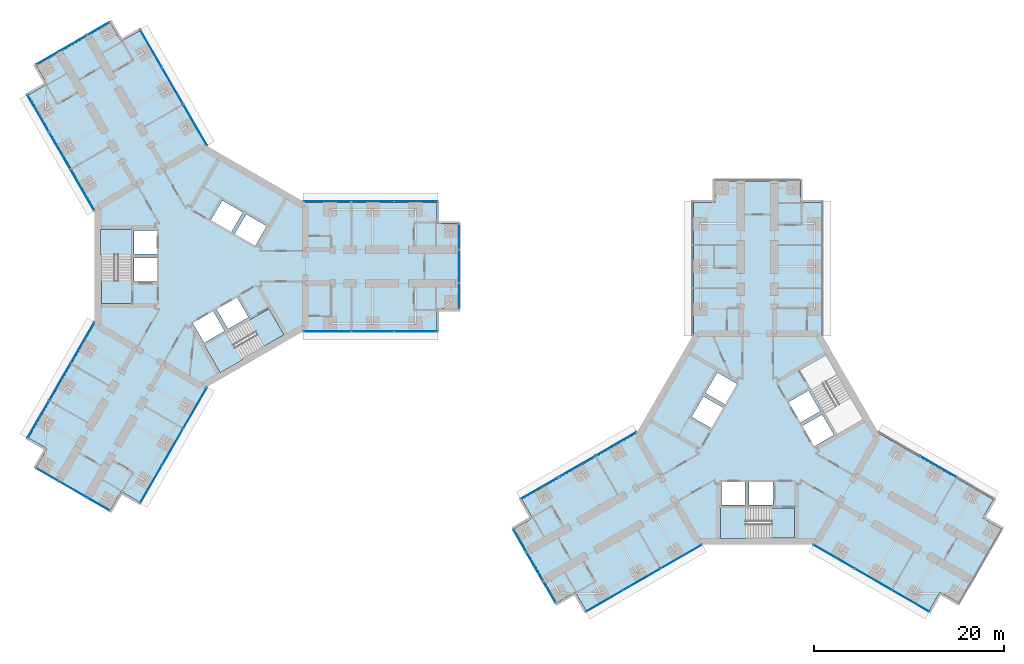
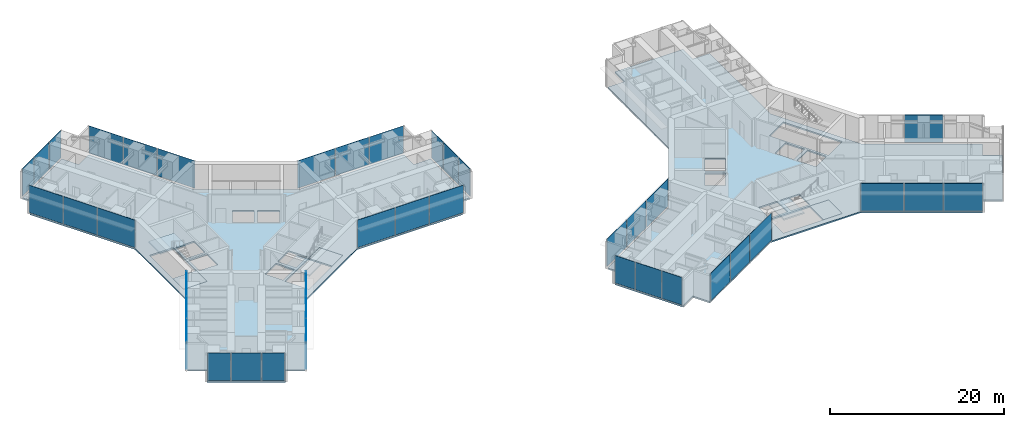
# One storey, part 14 of 24: 40 plates, 8 slabs, 17 elements without a shape of their own.
"""IFC4 building model written with IfcOpenShell, lengths in metres."""

from ifc_helpers import new_model, si_unit, direction, frame, origin, origin_2d, place, context, subcontext, project, spatial, polyline, rectangle, outline, extrude, material, layer, layer_set, type_object, element, aggregate, save


model = new_model("IFC4")

# Units and contexts
model_context = context("Model", 3, precision=1e-05, world=origin(), true_north=direction((0.0, 1.0)))
body_context = subcontext(model_context, "Body", "Model", "MODEL_VIEW")
ifc_project = project(units=[si_unit("LENGTHUNIT", "METRE"), si_unit("AREAUNIT", "SQUARE_METRE"), si_unit("VOLUMEUNIT", "CUBIC_METRE"), si_unit("PLANEANGLEUNIT", "RADIAN"), si_unit("MASSUNIT", "GRAM", prefix="KILO")], contexts=[model_context])

# Site, building, storey
site_placement = place(None, origin())
site = spatial("IfcSite", under=ifc_project, at=site_placement, CompositionType="ELEMENT")
building_placement = place(site_placement, origin())
building = spatial("IfcBuilding", under=site, at=building_placement, Name="Upepo Twin Towers", CompositionType="ELEMENT")
storey_placement = place(building_placement, frame((0.0, 0.0, 48.5)))
storey = spatial("IfcBuildingStorey", under=building, at=storey_placement, Name="L11", CompositionType="ELEMENT", Elevation=48.5)

# Curtain wall, plates
ifc_material_1 = material(Name="Aluminium and fritted glass", Category="aluminium")
curtain_wall_type = type_object("IfcCurtainWallType", Name="Tower curtain wall TW1, fritted glass", PredefinedType="NOTDEFINED", material=ifc_material_1)
curtain_wall_1_placement = place(storey_placement, origin())
curtain_wall_1 = element("IfcCurtainWall", 1, at=curtain_wall_1_placement, inside=storey, type_object=curtain_wall_type, Name="T1 L11 wing A flank L curtain wall", PredefinedType="NOTDEFINED")
ifc_material_2 = material(Name="Ceramic-fritted laminated glass", Category="glass")
ifc_layer_1 = layer(ifc_material_2, 0.031982421875)
ifc_layer_set_1 = layer_set([ifc_layer_1], Name="Fritted glass panel, 25 per cent dot frit, 32 mm double glazed")
plate_type_1 = type_object("IfcPlateType", Name="Fritted glass panel, 25 per cent dot frit, 32 mm double glazed", PredefinedType="CURTAIN_PANEL", material=ifc_layer_set_1)
plate_1_placement = place(storey_placement, frame((13.23486328125, 6.85009765625, 0.14990234375), z_axis=(0.0, 0.0, 1.0), x_axis=(1.0, 0.0, 0.0)))
plate_1 = element("IfcPlate", 2, at=plate_1_placement, type_object=plate_type_1, Name="T1 L11 wing A flank L curtain wall panel 1", PredefinedType="CURTAIN_PANEL", context=body_context, shape_type="SweptSolid", body=[
    extrude(rectangle(XDim=4.96533203125, YDim=0.031982421875, at=origin_2d()), origin(), (0.0, 0.0, 1.0), 3.85009765625),
])
plate_2_placement = place(storey_placement, frame((18.0, 6.85009765625, 0.14990234375), z_axis=(0.0, 0.0, 1.0), x_axis=(1.0, 0.0, 0.0)))
plate_2 = element("IfcPlate", 3, at=plate_2_placement, type_object=plate_type_1, Name="T1 L11 wing A flank L curtain wall panel 2", PredefinedType="CURTAIN_PANEL", context=body_context, shape_type="SweptSolid", body=[
    extrude(rectangle(XDim=4.43505859375, YDim=0.031982421875, at=origin_2d()), origin(), (0.0, 0.0, 1.0), 3.85009765625),
])
plate_3_placement = place(storey_placement, frame((22.53369140625, 6.85009765625, 0.14990234375), z_axis=(0.0, 0.0, 1.0), x_axis=(1.0, 0.0, 0.0)))
plate_3 = element("IfcPlate", 4, at=plate_3_placement, type_object=plate_type_1, Name="T1 L11 wing A flank L curtain wall panel 3", PredefinedType="CURTAIN_PANEL", context=body_context, shape_type="SweptSolid", body=[
    extrude(rectangle(XDim=4.50244140625, YDim=0.031982421875, at=origin_2d()), origin(), (0.0, 0.0, 1.0), 3.85009765625),
])
aggregate(curtain_wall_1, [plate_1, plate_2, plate_3])

curtain_wall_2_placement = place(storey_placement, origin())
curtain_wall_2 = element("IfcCurtainWall", 5, at=curtain_wall_2_placement, inside=storey, type_object=curtain_wall_type, Name="T1 L11 wing A flank R curtain wall", PredefinedType="NOTDEFINED")
plate_4_placement = place(storey_placement, frame((22.53369140625, -6.85009765625, 0.14990234375), z_axis=(0.0, 0.0, 1.0), x_axis=(-1.0, 0.0, 0.0)))
plate_4 = element("IfcPlate", 6, at=plate_4_placement, type_object=plate_type_1, Name="T1 L11 wing A flank R curtain wall panel 1", PredefinedType="CURTAIN_PANEL", context=body_context, shape_type="SweptSolid", body=[
    extrude(rectangle(XDim=4.50244140625, YDim=0.031982421875, at=origin_2d()), origin(), (0.0, 0.0, 1.0), 3.85009765625),
])
plate_5_placement = place(storey_placement, frame((18.0, -6.85009765625, 0.14990234375), z_axis=(0.0, 0.0, 1.0), x_axis=(-1.0, 0.0, 0.0)))
plate_5 = element("IfcPlate", 7, at=plate_5_placement, type_object=plate_type_1, Name="T1 L11 wing A flank R curtain wall panel 2", PredefinedType="CURTAIN_PANEL", context=body_context, shape_type="SweptSolid", body=[
    extrude(rectangle(XDim=4.43505859375, YDim=0.031982421875, at=origin_2d()), origin(), (0.0, 0.0, 1.0), 3.85009765625),
])
plate_6_placement = place(storey_placement, frame((13.23486328125, -6.85009765625, 0.14990234375), z_axis=(0.0, 0.0, 1.0), x_axis=(-1.0, 0.0, 0.0)))
plate_6 = element("IfcPlate", 8, at=plate_6_placement, type_object=plate_type_1, Name="T1 L11 wing A flank R curtain wall panel 3", PredefinedType="CURTAIN_PANEL", context=body_context, shape_type="SweptSolid", body=[
    extrude(rectangle(XDim=4.96533203125, YDim=0.031982421875, at=origin_2d()), origin(), (0.0, 0.0, 1.0), 3.85009765625),
])
aggregate(curtain_wall_2, [plate_4, plate_5, plate_6])

# Curtain wall, plate
curtain_wall_3_placement = place(storey_placement, origin())
curtain_wall_3 = element("IfcCurtainWall", 9, at=curtain_wall_3_placement, inside=storey, type_object=curtain_wall_type, Name="T1 L11 wing A nose curtain wall", PredefinedType="NOTDEFINED")
plate_7_placement = place(storey_placement, frame((27.10009765625, 0.0, 0.14990234375), z_axis=(0.0, 0.0, 1.0), x_axis=(0.0, 1.0, 0.0)))
plate_7 = element("IfcPlate", 10, at=plate_7_placement, type_object=plate_type_1, Name="T1 L11 wing A nose curtain wall panel 2", PredefinedType="CURTAIN_PANEL", context=body_context, shape_type="SweptSolid", body=[
    extrude(rectangle(XDim=3.43505859375, YDim=0.031982421875, at=origin_2d()), origin(), (0.0, 0.0, 1.0), 3.85009765625),
])

# Curtain wall, plates
curtain_wall_4_placement = place(storey_placement, origin())
curtain_wall_4 = element("IfcCurtainWall", 11, at=curtain_wall_4_placement, inside=storey, type_object=curtain_wall_type, Name="T1 L11 wing B flank L curtain wall", PredefinedType="NOTDEFINED")
plate_8_placement = place(storey_placement, frame((-12.549560546875, 8.03662109375, 0.14990234375), z_axis=(0.0, 0.0, 1.0), x_axis=(-0.500000024426, 0.866025389682, 0.0)))
plate_8 = element("IfcPlate", 12, at=plate_8_placement, type_object=plate_type_1, Name="T1 L11 wing B flank L curtain wall panel 1", PredefinedType="CURTAIN_PANEL", context=body_context, shape_type="SweptSolid", body=[
    extrude(rectangle(XDim=4.96533203125, YDim=0.031982421875, at=origin_2d()), origin(), (0.0, 0.0, 1.0), 3.85009765625),
])
plate_9_placement = place(storey_placement, frame((-14.932373046875, 12.16357421875, 0.14990234375), z_axis=(0.0, 0.0, 1.0), x_axis=(-0.500000024426, 0.866025389682, 0.0)))
plate_9 = element("IfcPlate", 13, at=plate_9_placement, type_object=plate_type_1, Name="T1 L11 wing B flank L curtain wall panel 2", PredefinedType="CURTAIN_PANEL", context=body_context, shape_type="SweptSolid", body=[
    extrude(rectangle(XDim=4.43505859375, YDim=0.031982421875, at=origin_2d()), origin(), (0.0, 0.0, 1.0), 3.85009765625),
])
plate_10_placement = place(storey_placement, frame((-17.19921875, 16.08984375, 0.14990234375), z_axis=(0.0, 0.0, 1.0), x_axis=(-0.500000024426, 0.866025389682, 0.0)))
plate_10 = element("IfcPlate", 14, at=plate_10_placement, type_object=plate_type_1, Name="T1 L11 wing B flank L curtain wall panel 3", PredefinedType="CURTAIN_PANEL", context=body_context, shape_type="SweptSolid", body=[
    extrude(rectangle(XDim=4.50244140625, YDim=0.031982421875, at=origin_2d()), origin(), (0.0, 0.0, 1.0), 3.85009765625),
])
aggregate(curtain_wall_4, [plate_8, plate_9, plate_10])

curtain_wall_5_placement = place(storey_placement, origin())
curtain_wall_5 = element("IfcCurtainWall", 15, at=curtain_wall_5_placement, inside=storey, type_object=curtain_wall_type, Name="T1 L11 wing B flank R curtain wall", PredefinedType="NOTDEFINED")
plate_11_placement = place(storey_placement, frame((-5.334716796875, 22.939697265625, 0.14990234375), z_axis=(0.0, 0.0, 1.0), x_axis=(0.500000024426, -0.866025389682, 0.0)))
plate_11 = element("IfcPlate", 16, at=plate_11_placement, type_object=plate_type_1, Name="T1 L11 wing B flank R curtain wall panel 1", PredefinedType="CURTAIN_PANEL", context=body_context, shape_type="SweptSolid", body=[
    extrude(rectangle(XDim=4.50244140625, YDim=0.031982421875, at=origin_2d()), origin(), (0.0, 0.0, 1.0), 3.85009765625),
])
plate_12_placement = place(storey_placement, frame((-3.067626953125, 19.013427734375, 0.14990234375), z_axis=(0.0, 0.0, 1.0), x_axis=(0.500000024426, -0.866025389682, 0.0)))
plate_12 = element("IfcPlate", 17, at=plate_12_placement, type_object=plate_type_1, Name="T1 L11 wing B flank R curtain wall panel 2", PredefinedType="CURTAIN_PANEL", context=body_context, shape_type="SweptSolid", body=[
    extrude(rectangle(XDim=4.43505859375, YDim=0.031982421875, at=origin_2d()), origin(), (0.0, 0.0, 1.0), 3.85009765625),
])
plate_13_placement = place(storey_placement, frame((-0.68505859375, 14.88671875, 0.14990234375), z_axis=(0.0, 0.0, 1.0), x_axis=(0.500000024426, -0.866025389682, 0.0)))
plate_13 = element("IfcPlate", 18, at=plate_13_placement, type_object=plate_type_1, Name="T1 L11 wing B flank R curtain wall panel 3", PredefinedType="CURTAIN_PANEL", context=body_context, shape_type="SweptSolid", body=[
    extrude(rectangle(XDim=4.96533203125, YDim=0.031982421875, at=origin_2d()), origin(), (0.0, 0.0, 1.0), 3.85009765625),
])
aggregate(curtain_wall_5, [plate_11, plate_12, plate_13])

# Curtain wall, plate
curtain_wall_6_placement = place(storey_placement, origin())
curtain_wall_6 = element("IfcCurtainWall", 19, at=curtain_wall_6_placement, inside=storey, type_object=curtain_wall_type, Name="T1 L11 wing B nose curtain wall", PredefinedType="NOTDEFINED")
plate_14_placement = place(storey_placement, frame((-13.550048828125, 23.46923828125, 0.14990234375), z_axis=(0.0, 0.0, 1.0), x_axis=(-0.866025386174, -0.500000030502, 0.0)))
plate_14 = element("IfcPlate", 20, at=plate_14_placement, type_object=plate_type_1, Name="T1 L11 wing B nose curtain wall panel 2", PredefinedType="CURTAIN_PANEL", context=body_context, shape_type="SweptSolid", body=[
    extrude(rectangle(XDim=3.43505859375, YDim=0.031982421875, at=origin_2d()), origin(), (0.0, 0.0, 1.0), 3.85009765625),
])

# Curtain wall, plates
curtain_wall_7_placement = place(storey_placement, origin())
curtain_wall_7 = element("IfcCurtainWall", 21, at=curtain_wall_7_placement, inside=storey, type_object=curtain_wall_type, Name="T1 L11 wing C flank L curtain wall", PredefinedType="NOTDEFINED")
plate_15_placement = place(storey_placement, frame((-0.68505859375, -14.88671875, 0.14990234375), z_axis=(0.0, 0.0, 1.0), x_axis=(-0.500000024426, -0.866025389682, 0.0)))
plate_15 = element("IfcPlate", 22, at=plate_15_placement, type_object=plate_type_1, Name="T1 L11 wing C flank L curtain wall panel 1", PredefinedType="CURTAIN_PANEL", context=body_context, shape_type="SweptSolid", body=[
    extrude(rectangle(XDim=4.96533203125, YDim=0.031982421875, at=origin_2d()), origin(), (0.0, 0.0, 1.0), 3.85009765625),
])
plate_16_placement = place(storey_placement, frame((-3.067626953125, -19.013427734375, 0.14990234375), z_axis=(0.0, 0.0, 1.0), x_axis=(-0.500000024426, -0.866025389682, 0.0)))
plate_16 = element("IfcPlate", 23, at=plate_16_placement, type_object=plate_type_1, Name="T1 L11 wing C flank L curtain wall panel 2", PredefinedType="CURTAIN_PANEL", context=body_context, shape_type="SweptSolid", body=[
    extrude(rectangle(XDim=4.43505859375, YDim=0.031982421875, at=origin_2d()), origin(), (0.0, 0.0, 1.0), 3.85009765625),
])
plate_17_placement = place(storey_placement, frame((-5.334716796875, -22.939697265625, 0.14990234375), z_axis=(0.0, 0.0, 1.0), x_axis=(-0.500000024426, -0.866025389682, 0.0)))
plate_17 = element("IfcPlate", 24, at=plate_17_placement, type_object=plate_type_1, Name="T1 L11 wing C flank L curtain wall panel 3", PredefinedType="CURTAIN_PANEL", context=body_context, shape_type="SweptSolid", body=[
    extrude(rectangle(XDim=4.50244140625, YDim=0.031982421875, at=origin_2d()), origin(), (0.0, 0.0, 1.0), 3.85009765625),
])
aggregate(curtain_wall_7, [plate_15, plate_16, plate_17])

curtain_wall_8_placement = place(storey_placement, origin())
curtain_wall_8 = element("IfcCurtainWall", 25, at=curtain_wall_8_placement, inside=storey, type_object=curtain_wall_type, Name="T1 L11 wing C flank R curtain wall", PredefinedType="NOTDEFINED")
plate_18_placement = place(storey_placement, frame((-17.19921875, -16.08984375, 0.14990234375), z_axis=(0.0, 0.0, 1.0), x_axis=(0.500000024426, 0.866025389682, 0.0)))
plate_18 = element("IfcPlate", 26, at=plate_18_placement, type_object=plate_type_1, Name="T1 L11 wing C flank R curtain wall panel 1", PredefinedType="CURTAIN_PANEL", context=body_context, shape_type="SweptSolid", body=[
    extrude(rectangle(XDim=4.50244140625, YDim=0.031982421875, at=origin_2d()), origin(), (0.0, 0.0, 1.0), 3.85009765625),
])
plate_19_placement = place(storey_placement, frame((-14.932373046875, -12.16357421875, 0.14990234375), z_axis=(0.0, 0.0, 1.0), x_axis=(0.500000024426, 0.866025389682, 0.0)))
plate_19 = element("IfcPlate", 27, at=plate_19_placement, type_object=plate_type_1, Name="T1 L11 wing C flank R curtain wall panel 2", PredefinedType="CURTAIN_PANEL", context=body_context, shape_type="SweptSolid", body=[
    extrude(rectangle(XDim=4.43505859375, YDim=0.031982421875, at=origin_2d()), origin(), (0.0, 0.0, 1.0), 3.85009765625),
])
plate_20_placement = place(storey_placement, frame((-12.549560546875, -8.03662109375, 0.14990234375), z_axis=(0.0, 0.0, 1.0), x_axis=(0.500000024426, 0.866025389682, 0.0)))
plate_20 = element("IfcPlate", 28, at=plate_20_placement, type_object=plate_type_1, Name="T1 L11 wing C flank R curtain wall panel 3", PredefinedType="CURTAIN_PANEL", context=body_context, shape_type="SweptSolid", body=[
    extrude(rectangle(XDim=4.96533203125, YDim=0.031982421875, at=origin_2d()), origin(), (0.0, 0.0, 1.0), 3.85009765625),
])
aggregate(curtain_wall_8, [plate_18, plate_19, plate_20])

# Curtain wall, plate
curtain_wall_9_placement = place(storey_placement, origin())
curtain_wall_9 = element("IfcCurtainWall", 29, at=curtain_wall_9_placement, inside=storey, type_object=curtain_wall_type, Name="T1 L11 wing C nose curtain wall", PredefinedType="NOTDEFINED")
plate_21_placement = place(storey_placement, frame((-13.550048828125, -23.46923828125, 0.14990234375), z_axis=(0.0, 0.0, 1.0), x_axis=(0.866025386174, -0.500000030502, 0.0)))
plate_21 = element("IfcPlate", 30, at=plate_21_placement, type_object=plate_type_1, Name="T1 L11 wing C nose curtain wall panel 2", PredefinedType="CURTAIN_PANEL", context=body_context, shape_type="SweptSolid", body=[
    extrude(rectangle(XDim=3.43505859375, YDim=0.031982421875, at=origin_2d()), origin(), (0.0, 0.0, 1.0), 3.85009765625),
])

# Curtain wall, plates
curtain_wall_10_placement = place(storey_placement, origin())
curtain_wall_10 = element("IfcCurtainWall", 31, at=curtain_wall_10_placement, inside=storey, type_object=curtain_wall_type, Name="T2 L11 wing B flank L curtain wall", PredefinedType="NOTDEFINED")
plate_22_placement = place(storey_placement, frame((50.46337890625, -30.549560546875, 0.14990234375), z_axis=(0.0, 0.0, 1.0), x_axis=(-0.866025389682, -0.500000024426, 0.0)))
plate_22 = element("IfcPlate", 32, at=plate_22_placement, type_object=plate_type_1, Name="T2 L11 wing B flank L curtain wall panel 1", PredefinedType="CURTAIN_PANEL", context=body_context, shape_type="SweptSolid", body=[
    extrude(rectangle(XDim=4.96533203125, YDim=0.031982421875, at=origin_2d()), origin(), (0.0, 0.0, 1.0), 3.85009765625),
])
plate_23_placement = place(storey_placement, frame((46.33642578125, -32.932373046875, 0.14990234375), z_axis=(0.0, 0.0, 1.0), x_axis=(-0.866025389682, -0.500000024426, 0.0)))
plate_23 = element("IfcPlate", 33, at=plate_23_placement, type_object=plate_type_1, Name="T2 L11 wing B flank L curtain wall panel 2", PredefinedType="CURTAIN_PANEL", context=body_context, shape_type="SweptSolid", body=[
    extrude(rectangle(XDim=4.43505859375, YDim=0.031982421875, at=origin_2d()), origin(), (0.0, 0.0, 1.0), 3.85009765625),
])
plate_24_placement = place(storey_placement, frame((42.41015625, -35.19921875, 0.14990234375), z_axis=(0.0, 0.0, 1.0), x_axis=(-0.866025389682, -0.500000024426, 0.0)))
plate_24 = element("IfcPlate", 34, at=plate_24_placement, type_object=plate_type_1, Name="T2 L11 wing B flank L curtain wall panel 3", PredefinedType="CURTAIN_PANEL", context=body_context, shape_type="SweptSolid", body=[
    extrude(rectangle(XDim=4.50244140625, YDim=0.031982421875, at=origin_2d()), origin(), (0.0, 0.0, 1.0), 3.85009765625),
])
aggregate(curtain_wall_10, [plate_22, plate_23, plate_24])

curtain_wall_11_placement = place(storey_placement, origin())
curtain_wall_11 = element("IfcCurtainWall", 35, at=curtain_wall_11_placement, inside=storey, type_object=curtain_wall_type, Name="T2 L11 wing B flank R curtain wall", PredefinedType="NOTDEFINED")
plate_25_placement = place(storey_placement, frame((35.560302734375, -23.334716796875, 0.14990234375), z_axis=(0.0, 0.0, 1.0), x_axis=(0.866025389682, 0.500000024426, 0.0)))
plate_25 = element("IfcPlate", 36, at=plate_25_placement, type_object=plate_type_1, Name="T2 L11 wing B flank R curtain wall panel 1", PredefinedType="CURTAIN_PANEL", context=body_context, shape_type="SweptSolid", body=[
    extrude(rectangle(XDim=4.50244140625, YDim=0.031982421875, at=origin_2d()), origin(), (0.0, 0.0, 1.0), 3.85009765625),
])
plate_26_placement = place(storey_placement, frame((39.486572265625, -21.067626953125, 0.14990234375), z_axis=(0.0, 0.0, 1.0), x_axis=(0.866025389682, 0.500000024426, 0.0)))
plate_26 = element("IfcPlate", 37, at=plate_26_placement, type_object=plate_type_1, Name="T2 L11 wing B flank R curtain wall panel 2", PredefinedType="CURTAIN_PANEL", context=body_context, shape_type="SweptSolid", body=[
    extrude(rectangle(XDim=4.43505859375, YDim=0.031982421875, at=origin_2d()), origin(), (0.0, 0.0, 1.0), 3.85009765625),
])
plate_27_placement = place(storey_placement, frame((43.61328125, -18.68505859375, 0.14990234375), z_axis=(0.0, 0.0, 1.0), x_axis=(0.866025389682, 0.500000024426, 0.0)))
plate_27 = element("IfcPlate", 38, at=plate_27_placement, type_object=plate_type_1, Name="T2 L11 wing B flank R curtain wall panel 3", PredefinedType="CURTAIN_PANEL", context=body_context, shape_type="SweptSolid", body=[
    extrude(rectangle(XDim=4.96533203125, YDim=0.031982421875, at=origin_2d()), origin(), (0.0, 0.0, 1.0), 3.85009765625),
])
aggregate(curtain_wall_11, [plate_25, plate_26, plate_27])

# Curtain wall, plate
curtain_wall_12_placement = place(storey_placement, origin())
curtain_wall_12 = element("IfcCurtainWall", 39, at=curtain_wall_12_placement, inside=storey, type_object=curtain_wall_type, Name="T2 L11 wing B nose curtain wall", PredefinedType="NOTDEFINED")
plate_28_placement = place(storey_placement, frame((35.03076171875, -31.550048828125, 0.14990234375), z_axis=(0.0, 0.0, 1.0), x_axis=(0.500000030502, -0.866025386174, 0.0)))
plate_28 = element("IfcPlate", 40, at=plate_28_placement, type_object=plate_type_1, Name="T2 L11 wing B nose curtain wall panel 2", PredefinedType="CURTAIN_PANEL", context=body_context, shape_type="SweptSolid", body=[
    extrude(rectangle(XDim=3.43505859375, YDim=0.031982421875, at=origin_2d()), origin(), (0.0, 0.0, 1.0), 3.85009765625),
])

curtain_wall_13_placement = place(storey_placement, origin())
curtain_wall_13 = element("IfcCurtainWall", 41, at=curtain_wall_13_placement, inside=storey, type_object=curtain_wall_type, Name="T2 L11 wing C flank L curtain wall", PredefinedType="NOTDEFINED")
plate_29_placement = place(storey_placement, frame((77.513427734375, -21.067626953125, 0.14990234375), z_axis=(0.0, 0.0, 1.0), x_axis=(0.866025389682, -0.500000024426, 0.0)))
plate_29 = element("IfcPlate", 42, at=plate_29_placement, type_object=plate_type_1, Name="T2 L11 wing C flank L curtain wall panel 2", PredefinedType="CURTAIN_PANEL", context=body_context, shape_type="SweptSolid", body=[
    extrude(rectangle(XDim=4.43505859375, YDim=0.031982421875, at=origin_2d()), origin(), (0.0, 0.0, 1.0), 3.85009765625),
])
aggregate(curtain_wall_13, [plate_29])

# Curtain wall, plates
curtain_wall_14_placement = place(storey_placement, origin())
curtain_wall_14 = element("IfcCurtainWall", 43, at=curtain_wall_14_placement, inside=storey, type_object=curtain_wall_type, Name="T2 L11 wing C flank R curtain wall", PredefinedType="NOTDEFINED")
plate_30_placement = place(storey_placement, frame((74.58984375, -35.19921875, 0.14990234375), z_axis=(0.0, 0.0, 1.0), x_axis=(-0.866025389682, 0.500000024426, 0.0)))
plate_30 = element("IfcPlate", 44, at=plate_30_placement, type_object=plate_type_1, Name="T2 L11 wing C flank R curtain wall panel 1", PredefinedType="CURTAIN_PANEL", context=body_context, shape_type="SweptSolid", body=[
    extrude(rectangle(XDim=4.50244140625, YDim=0.031982421875, at=origin_2d()), origin(), (0.0, 0.0, 1.0), 3.85009765625),
])
plate_31_placement = place(storey_placement, frame((70.66357421875, -32.932373046875, 0.14990234375), z_axis=(0.0, 0.0, 1.0), x_axis=(-0.866025389682, 0.500000024426, 0.0)))
plate_31 = element("IfcPlate", 45, at=plate_31_placement, type_object=plate_type_1, Name="T2 L11 wing C flank R curtain wall panel 2", PredefinedType="CURTAIN_PANEL", context=body_context, shape_type="SweptSolid", body=[
    extrude(rectangle(XDim=4.43505859375, YDim=0.031982421875, at=origin_2d()), origin(), (0.0, 0.0, 1.0), 3.85009765625),
])
plate_32_placement = place(storey_placement, frame((66.53662109375, -30.549560546875, 0.14990234375), z_axis=(0.0, 0.0, 1.0), x_axis=(-0.866025389682, 0.500000024426, 0.0)))
plate_32 = element("IfcPlate", 46, at=plate_32_placement, type_object=plate_type_1, Name="T2 L11 wing C flank R curtain wall panel 3", PredefinedType="CURTAIN_PANEL", context=body_context, shape_type="SweptSolid", body=[
    extrude(rectangle(XDim=4.96533203125, YDim=0.031982421875, at=origin_2d()), origin(), (0.0, 0.0, 1.0), 3.85009765625),
])
aggregate(curtain_wall_14, [plate_30, plate_31, plate_32])

# Plate
ifc_material_3 = material(Name="Clear laminated glass in opening sash", Category="glass")
ifc_layer_2 = layer(ifc_material_3, 0.031982421875)
ifc_layer_set_2 = layer_set([ifc_layer_2], Name="Operable glass panel, 32 mm double glazed")
plate_type_2 = type_object("IfcPlateType", Name="Operable glass panel, 32 mm double glazed", PredefinedType="CURTAIN_PANEL", material=ifc_layer_set_2)
plate_33_placement = place(storey_placement, frame((27.10009765625, -3.108642578125, 0.14990234375), z_axis=(0.0, 0.0, 1.0), x_axis=(0.0, 1.0, 0.0)))
plate_33 = element("IfcPlate", 47, at=plate_33_placement, type_object=plate_type_2, Name="T1 L11 wing A nose curtain wall panel 1", PredefinedType="CURTAIN_PANEL", context=body_context, shape_type="SweptSolid", body=[
    extrude(rectangle(XDim=2.652587890625, YDim=0.031982421875, at=origin_2d()), origin(), (0.0, 0.0, 1.0), 3.85009765625),
])

plate_34_placement = place(storey_placement, frame((27.10009765625, 3.108642578125, 0.14990234375), z_axis=(0.0, 0.0, 1.0), x_axis=(0.0, 1.0, 0.0)))
plate_34 = element("IfcPlate", 48, at=plate_34_placement, type_object=plate_type_2, Name="T1 L11 wing A nose curtain wall panel 3", PredefinedType="CURTAIN_PANEL", context=body_context, shape_type="SweptSolid", body=[
    extrude(rectangle(XDim=2.652587890625, YDim=0.031982421875, at=origin_2d()), origin(), (0.0, 0.0, 1.0), 3.85009765625),
])

aggregate(curtain_wall_3, [plate_33, plate_7, plate_34])

plate_35_placement = place(storey_placement, frame((-10.857666015625, 25.023681640625, 0.14990234375), z_axis=(0.0, 0.0, 1.0), x_axis=(-0.866025386174, -0.500000030502, 0.0)))
plate_35 = element("IfcPlate", 49, at=plate_35_placement, type_object=plate_type_2, Name="T1 L11 wing B nose curtain wall panel 1", PredefinedType="CURTAIN_PANEL", context=body_context, shape_type="SweptSolid", body=[
    extrude(rectangle(XDim=2.652587890625, YDim=0.031982421875, at=origin_2d()), origin(), (0.0, 0.0, 1.0), 3.85009765625),
])

plate_36_placement = place(storey_placement, frame((-16.2421875, 21.914794921875, 0.14990234375), z_axis=(0.0, 0.0, 1.0), x_axis=(-0.866025386174, -0.500000030502, 0.0)))
plate_36 = element("IfcPlate", 50, at=plate_36_placement, type_object=plate_type_2, Name="T1 L11 wing B nose curtain wall panel 3", PredefinedType="CURTAIN_PANEL", context=body_context, shape_type="SweptSolid", body=[
    extrude(rectangle(XDim=2.652587890625, YDim=0.031982421875, at=origin_2d()), origin(), (0.0, 0.0, 1.0), 3.85009765625),
])

aggregate(curtain_wall_6, [plate_35, plate_14, plate_36])

plate_37_placement = place(storey_placement, frame((-16.2421875, -21.914794921875, 0.14990234375), z_axis=(0.0, 0.0, 1.0), x_axis=(0.866025386174, -0.500000030502, 0.0)))
plate_37 = element("IfcPlate", 51, at=plate_37_placement, type_object=plate_type_2, Name="T1 L11 wing C nose curtain wall panel 1", PredefinedType="CURTAIN_PANEL", context=body_context, shape_type="SweptSolid", body=[
    extrude(rectangle(XDim=2.652587890625, YDim=0.031982421875, at=origin_2d()), origin(), (0.0, 0.0, 1.0), 3.85009765625),
])

plate_38_placement = place(storey_placement, frame((-10.857666015625, -25.023681640625, 0.14990234375), z_axis=(0.0, 0.0, 1.0), x_axis=(0.866025386174, -0.500000030502, 0.0)))
plate_38 = element("IfcPlate", 52, at=plate_38_placement, type_object=plate_type_2, Name="T1 L11 wing C nose curtain wall panel 3", PredefinedType="CURTAIN_PANEL", context=body_context, shape_type="SweptSolid", body=[
    extrude(rectangle(XDim=2.652587890625, YDim=0.031982421875, at=origin_2d()), origin(), (0.0, 0.0, 1.0), 3.85009765625),
])

aggregate(curtain_wall_9, [plate_37, plate_21, plate_38])

plate_39_placement = place(storey_placement, frame((33.476318359375, -28.857666015625, 0.14990234375), z_axis=(0.0, 0.0, 1.0), x_axis=(0.500000030502, -0.866025386174, 0.0)))
plate_39 = element("IfcPlate", 53, at=plate_39_placement, type_object=plate_type_2, Name="T2 L11 wing B nose curtain wall panel 1", PredefinedType="CURTAIN_PANEL", context=body_context, shape_type="SweptSolid", body=[
    extrude(rectangle(XDim=2.652587890625, YDim=0.031982421875, at=origin_2d()), origin(), (0.0, 0.0, 1.0), 3.85009765625),
])

plate_40_placement = place(storey_placement, frame((36.585205078125, -34.2421875, 0.14990234375), z_axis=(0.0, 0.0, 1.0), x_axis=(0.500000030502, -0.866025386174, 0.0)))
plate_40 = element("IfcPlate", 54, at=plate_40_placement, type_object=plate_type_2, Name="T2 L11 wing B nose curtain wall panel 3", PredefinedType="CURTAIN_PANEL", context=body_context, shape_type="SweptSolid", body=[
    extrude(rectangle(XDim=2.652587890625, YDim=0.031982421875, at=origin_2d()), origin(), (0.0, 0.0, 1.0), 3.85009765625),
])

aggregate(curtain_wall_12, [plate_39, plate_28, plate_40])

# Stair, slabs
ifc_material_4 = material(Name="Concrete C40/50", Category="concrete")
stair_type = type_object("IfcStairType", Name="Core stair, two flights", PredefinedType="HALF_TURN_STAIR", material=ifc_material_4)
stair_1_placement = place(storey_placement, origin())
stair_1 = element("IfcStair", 55, at=stair_1_placement, inside=storey, type_object=stair_type, Name="T1 stair S1 L11", PredefinedType="HALF_TURN_STAIR")
ifc_material_5 = material(Name="Concrete C40/50", Category="concrete")
ifc_layer_3 = layer(ifc_material_5, 0.199951171875)
ifc_layer_set_3 = layer_set([ifc_layer_3], Name="Concrete C40/50")
slab_type_1 = type_object("IfcSlabType", Name="Stair landing 200 RC", PredefinedType="LANDING", material=ifc_layer_set_3)
slab_1_placement = place(storey_placement, frame((0.0, 0.0, -0.199951171875)))
slab_1 = element("IfcSlab", 56, at=slab_1_placement, type_object=slab_type_1, Name="Stair S1 landing 1", PredefinedType="LANDING", context=body_context, shape_type="SweptSolid", body=[
    extrude(outline(polyline([(-7.39990234375, -1.419921875), (-10.558349609375, -1.419921875), (-10.558349609375, -3.89990234375), (-7.39990234375, -3.89990234375), (-7.39990234375, -1.419921875)])), origin(), (0.0, 0.0, 1.0), 0.199951171875),
])
slab_2_placement = place(storey_placement, frame((0.0, 0.0, 1.800048828125)))
slab_2 = element("IfcSlab", 57, at=slab_2_placement, type_object=slab_type_1, Name="Stair S1 landing 2", PredefinedType="LANDING", context=body_context, shape_type="SweptSolid", body=[
    extrude(outline(polyline([(-7.300048828125, 3.89990234375), (-10.658447265625, 3.89990234375), (-10.658447265625, 1.179931640625), (-7.300048828125, 1.179931640625), (-7.300048828125, 3.89990234375)])), origin(), (0.0, 0.0, 1.0), 0.199951171875),
])
aggregate(stair_1, [slab_1, slab_2])

stair_2_placement = place(storey_placement, origin())
stair_2 = element("IfcStair", 58, at=stair_2_placement, inside=storey, type_object=stair_type, Name="T1 stair S2 L11", PredefinedType="HALF_TURN_STAIR")
slab_3_placement = place(storey_placement, frame((0.0, 0.0, -0.199951171875)))
slab_3 = element("IfcSlab", 59, at=slab_3_placement, type_object=slab_type_1, Name="Stair S2 landing 1", PredefinedType="LANDING", context=body_context, shape_type="SweptSolid", body=[
    extrude(outline(polyline([(4.9296875, -5.698486328125), (6.509033203125, -8.433837890625), (8.65673828125, -7.19384765625), (7.077392578125, -4.45849609375), (4.9296875, -5.698486328125)])), origin(), (0.0, 0.0, 1.0), 0.199951171875),
])
slab_4_placement = place(storey_placement, frame((0.0, 0.0, 1.800048828125)))
slab_4 = element("IfcSlab", 60, at=slab_4_placement, type_object=slab_type_1, Name="Stair S2 landing 2", PredefinedType="LANDING", context=body_context, shape_type="SweptSolid", body=[
    extrude(outline(polyline([(0.2724609375, -8.27197265625), (1.95166015625, -11.180419921875), (4.307373046875, -9.8203125), (2.628173828125, -6.911865234375), (0.2724609375, -8.27197265625)])), origin(), (0.0, 0.0, 1.0), 0.199951171875),
])
aggregate(stair_2, [slab_3, slab_4])

stair_3_placement = place(storey_placement, origin())
stair_3 = element("IfcStair", 61, at=stair_3_placement, inside=storey, type_object=stair_type, Name="T2 stair S1 L11", PredefinedType="HALF_TURN_STAIR")
slab_5_placement = place(storey_placement, frame((0.0, 0.0, -0.199951171875)))
slab_5 = element("IfcSlab", 62, at=slab_5_placement, type_object=slab_type_1, Name="Stair S1 landing 1", PredefinedType="LANDING", context=body_context, shape_type="SweptSolid", body=[
    extrude(outline(polyline([(59.919921875, -25.39990234375), (59.919921875, -28.558349609375), (62.39990234375, -28.558349609375), (62.39990234375, -25.39990234375), (59.919921875, -25.39990234375)])), origin(), (0.0, 0.0, 1.0), 0.199951171875),
])
slab_6_placement = place(storey_placement, frame((0.0, 0.0, 1.800048828125)))
slab_6 = element("IfcSlab", 63, at=slab_6_placement, type_object=slab_type_1, Name="Stair S1 landing 2", PredefinedType="LANDING", context=body_context, shape_type="SweptSolid", body=[
    extrude(outline(polyline([(54.60009765625, -25.300048828125), (54.60009765625, -28.658447265625), (57.320068359375, -28.658447265625), (57.320068359375, -25.300048828125), (54.60009765625, -25.300048828125)])), origin(), (0.0, 0.0, 1.0), 0.199951171875),
])
aggregate(stair_3, [slab_5, slab_6])

# Slabs
ifc_material_6 = material(Name="Concrete C40/50", Category="concrete")
ifc_layer_4 = layer(ifc_material_6, 0.199951171875)
ifc_layer_set_4 = layer_set([ifc_layer_4], Name="Concrete C40/50")
slab_type_2 = type_object("IfcSlabType", Name="Tower floor slab 200 RC", PredefinedType="FLOOR", material=ifc_layer_set_4)
slab_7_placement = place(storey_placement, frame((0.0, 0.0, -0.199951171875)))
element("IfcSlab", 64, at=slab_7_placement, inside=storey, type_object=slab_type_2, Name="T1 L11 floor slab", PredefinedType="FLOOR", context=body_context, shape_type="SweptSolid", body=[
    extrude(outline(polyline([(-8.477783203125, -23.68408203125), (-9.602783203125, -25.632568359375), (-17.397216796875, -21.132568359375), (-16.272216796875, -19.18408203125), (-18.220703125, -18.05908203125), (-11.25830078125, -6.0), (-11.25830078125, 6.0), (-18.220703125, 18.05908203125), (-16.272216796875, 19.18408203125), (-17.397216796875, 21.132568359375), (-9.602783203125, 25.632568359375), (-8.477783203125, 23.68408203125), (-6.529296875, 24.80908203125), (0.43310546875, 12.75), (10.825439453125, 6.75), (24.75, 6.75), (24.75, 4.5), (27.0, 4.5), (27.0, -4.5), (24.75, -4.5), (24.75, -6.75), (10.825439453125, -6.75), (0.43310546875, -12.75), (-6.529296875, -24.80908203125), (-8.477783203125, -23.68408203125)]), holes=[polyline([(5.640869140625, 2.17041015625), (6.8408203125, 4.248779296875), (4.67578125, 5.498779296875), (3.475830078125, 3.42041015625), (5.640869140625, 2.17041015625)]), polyline([(3.12939453125, 3.620361328125), (4.329345703125, 5.69873046875), (2.164306640625, 6.94873046875), (0.96435546875, 4.870361328125), (3.12939453125, 3.620361328125)]), polyline([(-4.699951171875, 3.800048828125), (-7.10009765625, 3.800048828125), (-7.10009765625, 1.300048828125), (-4.699951171875, 1.300048828125), (-4.699951171875, 3.800048828125)]), polyline([(-4.699951171875, 0.89990234375), (-7.10009765625, 0.89990234375), (-7.10009765625, -1.60009765625), (-4.699951171875, -1.60009765625), (-4.699951171875, 0.89990234375)]), polyline([(-7.39990234375, 3.89990234375), (-10.558349609375, 3.89990234375), (-10.558349609375, -3.89990234375), (-7.39990234375, -3.89990234375), (-7.39990234375, 3.89990234375)]), polyline([(-0.94091796875, -5.97021484375), (0.259033203125, -8.048828125), (2.424072265625, -6.798828125), (1.22412109375, -4.72021484375), (-0.94091796875, -5.97021484375)]), polyline([(1.570556640625, -4.520263671875), (2.7705078125, -6.598876953125), (4.935546875, -5.348876953125), (3.735595703125, -3.270263671875), (1.570556640625, -4.520263671875)]), polyline([(0.322509765625, -8.358642578125), (1.901611328125, -11.09375), (8.65673828125, -7.19384765625), (7.077392578125, -4.45849609375), (0.322509765625, -8.358642578125)])]), origin(), (0.0, 0.0, 1.0), 0.199951171875),
])
slab_8_placement = place(storey_placement, frame((0.0, 0.0, -0.199951171875)))
element("IfcSlab", 65, at=slab_8_placement, inside=storey, type_object=slab_type_2, Name="T2 L11 floor slab", PredefinedType="FLOOR", context=body_context, shape_type="SweptSolid", body=[
    extrude(outline(polyline([(82.18408203125, -26.477783203125), (84.132568359375, -27.602783203125), (79.632568359375, -35.397216796875), (77.68408203125, -34.272216796875), (76.55908203125, -36.220703125), (64.5, -29.25830078125), (52.5, -29.25830078125), (40.44091796875, -36.220703125), (39.31591796875, -34.272216796875), (37.367431640625, -35.397216796875), (32.867431640625, -27.602783203125), (34.81591796875, -26.477783203125), (33.69091796875, -24.529296875), (45.75, -17.56689453125), (51.75, -7.174560546875), (51.75, 6.75), (54.0, 6.75), (54.0, 9.0), (63.0, 9.0), (63.0, 6.75), (65.25, 6.75), (65.25, -7.174560546875), (71.25, -17.56689453125), (83.30908203125, -24.529296875), (82.18408203125, -26.477783203125)]), holes=[polyline([(56.32958984375, -12.359130859375), (54.251220703125, -11.1591796875), (53.001220703125, -13.32421875), (55.07958984375, -14.524169921875), (56.32958984375, -12.359130859375)]), polyline([(54.879638671875, -14.87060546875), (52.80126953125, -13.670654296875), (51.55126953125, -15.835693359375), (53.629638671875, -17.03564453125), (54.879638671875, -14.87060546875)]), polyline([(54.699951171875, -22.699951171875), (54.699951171875, -25.10009765625), (57.199951171875, -25.10009765625), (57.199951171875, -22.699951171875), (54.699951171875, -22.699951171875)]), polyline([(57.60009765625, -22.699951171875), (57.60009765625, -25.10009765625), (60.10009765625, -25.10009765625), (60.10009765625, -22.699951171875), (57.60009765625, -22.699951171875)]), polyline([(54.60009765625, -25.39990234375), (54.60009765625, -28.558349609375), (62.39990234375, -28.558349609375), (62.39990234375, -25.39990234375), (54.60009765625, -25.39990234375)]), polyline([(64.47021484375, -18.94091796875), (66.548828125, -17.740966796875), (65.298828125, -15.575927734375), (63.22021484375, -16.77587890625), (64.47021484375, -18.94091796875)]), polyline([(63.020263671875, -16.429443359375), (65.098876953125, -15.2294921875), (63.848876953125, -13.064453125), (61.770263671875, -14.264404296875), (63.020263671875, -16.429443359375)]), polyline([(66.858642578125, -17.677490234375), (69.59375, -16.098388671875), (65.69384765625, -9.34326171875), (62.95849609375, -10.922607421875), (66.858642578125, -17.677490234375)])]), origin(), (0.0, 0.0, 1.0), 0.199951171875),
])

save(model, "model.ifc")
